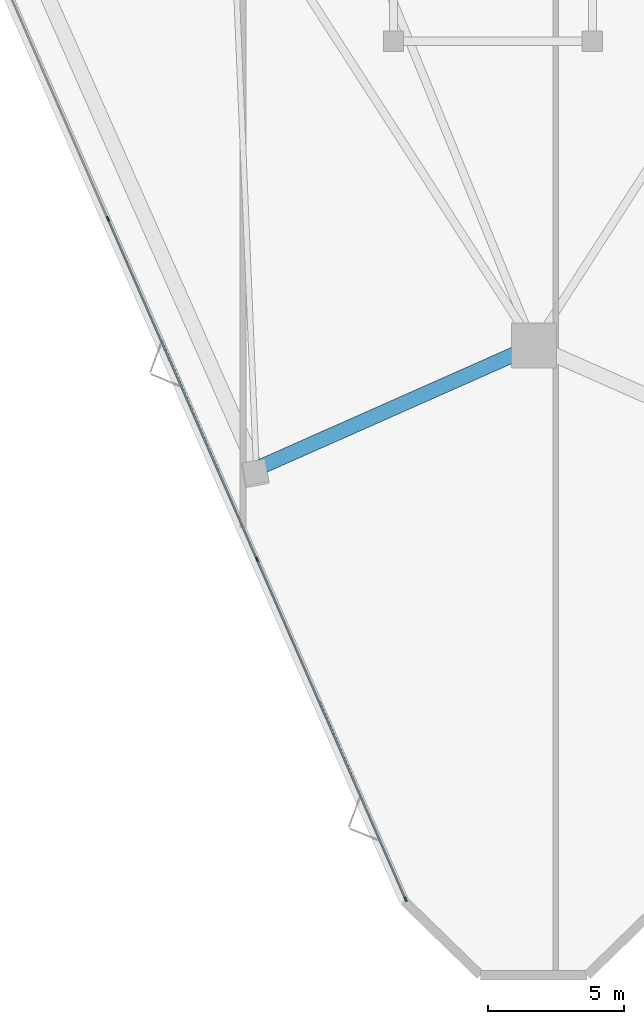
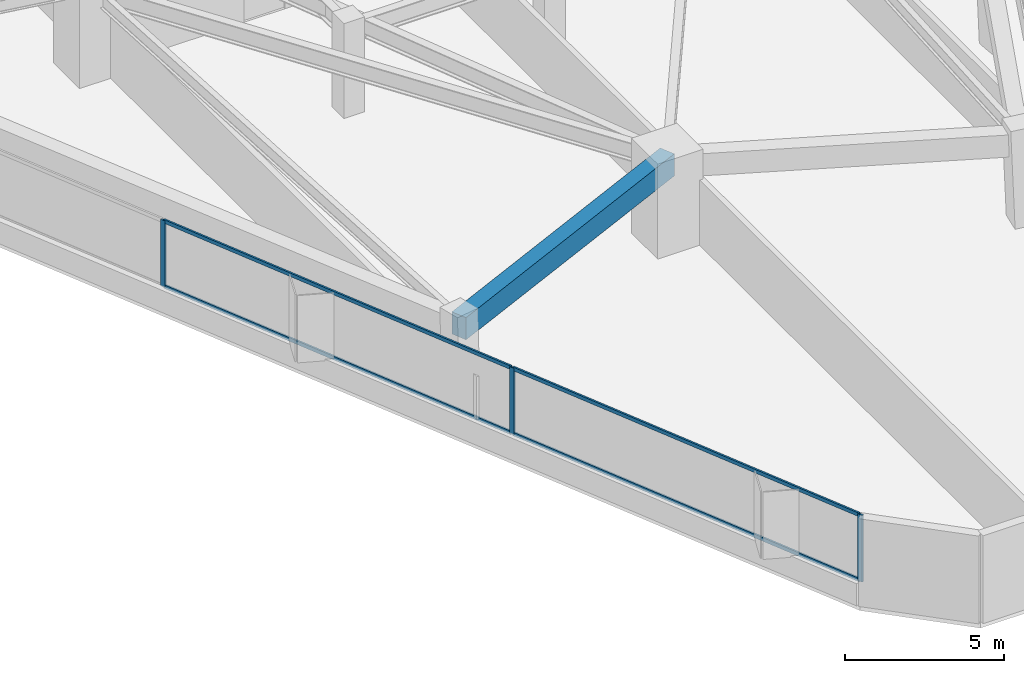
# One storey, part 2 of 20: 7 members, 1 beam, 1 element without a shape of its own.
"""IFC4 building model written with IfcOpenShell, lengths in metres."""

from ifc_helpers import new_model, si_unit, direction, frame, origin, origin_2d, place, context, subcontext, project, spatial, rectangle, extrude, material, layer, layer_set, material_profile, profile_set, type_object, element, aggregate, save


model = new_model("IFC4")

# Units and contexts
model_context = context("Model", 3, precision=1e-05, world=origin(), true_north=direction((0.0, 1.0)))
body_context = subcontext(model_context, "Body", "Model", "MODEL_VIEW")
ifc_project = project(units=[si_unit("LENGTHUNIT", "METRE"), si_unit("AREAUNIT", "SQUARE_METRE"), si_unit("VOLUMEUNIT", "CUBIC_METRE"), si_unit("PLANEANGLEUNIT", "RADIAN"), si_unit("MASSUNIT", "GRAM", prefix="KILO")], contexts=[model_context])

# Site, building, storey
site_placement = place(None, origin())
site = spatial("IfcSite", under=ifc_project, at=site_placement, CompositionType="ELEMENT")
building_placement = place(site_placement, origin())
building = spatial("IfcBuilding", under=site, at=building_placement, Name="Talyreon Biosciences Tower", CompositionType="ELEMENT")
storey_placement = place(building_placement, frame((0.0, 0.0, 75.0)))
storey = spatial("IfcBuildingStorey", under=building, at=storey_placement, Name="L19", CompositionType="ELEMENT", Elevation=75.0)

# Curtain wall, members
ifc_material_1 = material(Name="Thermally broken aluminium and low-E glazing", Category="aluminium")
ifc_layer = layer(ifc_material_1, 0.18994140625)
ifc_layer_set = layer_set([ifc_layer], Name="Thermally broken aluminium and low-E glazing")
curtain_wall_type = type_object("IfcCurtainWallType", Name="CurtainWall_Zone2Genomics", PredefinedType="NOTDEFINED", material=ifc_layer_set)
curtain_wall_placement = place(storey_placement, origin())
curtain_wall = element("IfcCurtainWall", 1, at=curtain_wall_placement, inside=storey, type_object=curtain_wall_type, Name="L19 Unitised Curtain Wall FCW-L19-00", PredefinedType="NOTDEFINED")
ifc_material_2 = material(Name="Anodised thermally broken aluminium", Category="aluminium")
ifc_material_profile_1 = material_profile(ifc_material_2, rectangle(XDim=0.06494140625, YDim=0.179931640625, at=origin_2d()), Name="ALUM MULLION 65x180")
ifc_profile_set_1 = profile_set([ifc_material_profile_1], Name="Anodised thermally broken aluminium")
member_type_1 = type_object("IfcMemberType", Name="CWMullion_65x180", PredefinedType="MULLION", material=ifc_profile_set_1)
member_1_placement = place(storey_placement, frame((61.29638671875, 21.3525390625, 0.81005859375), z_axis=(0.0, 0.0, 1.0), x_axis=(-0.916151953082, -0.400831135099, 0.0)))
member_1 = element("IfcMember", 2, at=member_1_placement, type_object=member_type_1, Name="CW3 mullion 1", PredefinedType="MULLION", context=body_context, shape_type="SweptSolid", body=[
    extrude(rectangle(XDim=0.06494140625, YDim=0.179931640625, at=origin_2d()), origin(), (0.0, 0.0, 1.0), 2.56494140625),
])
member_2_placement = place(storey_placement, frame((55.83935546875, 33.8251953125, 0.81005859375), z_axis=(0.0, 0.0, 1.0), x_axis=(-0.916151953082, -0.400831135099, 0.0)))
member_2 = element("IfcMember", 3, at=member_2_placement, type_object=member_type_1, Name="CW3 mullion 2", PredefinedType="MULLION", context=body_context, shape_type="SweptSolid", body=[
    extrude(rectangle(XDim=0.06494140625, YDim=0.179931640625, at=origin_2d()), origin(), (0.0, 0.0, 1.0), 2.56494140625),
])
member_3_placement = place(storey_placement, frame((50.369384765625, 46.32763671875, 0.81005859375), z_axis=(0.0, 0.0, 1.0), x_axis=(-0.916151953082, -0.400831135099, 0.0)))
member_3 = element("IfcMember", 4, at=member_3_placement, type_object=member_type_1, Name="CW3 mullion 3", PredefinedType="MULLION", context=body_context, shape_type="SweptSolid", body=[
    extrude(rectangle(XDim=0.06494140625, YDim=0.179931640625, at=origin_2d()), origin(), (0.0, 0.0, 1.0), 2.56494140625),
])
ifc_material_profile_2 = material_profile(ifc_material_2, rectangle(XDim=0.06494140625, YDim=0.139892578125, at=origin_2d()), Name="ALUM TRANSOM 65x140")
ifc_profile_set_2 = profile_set([ifc_material_profile_2], Name="Anodised thermally broken aluminium")
member_type_2 = type_object("IfcMemberType", Name="CWTransom_65x140", PredefinedType="USERDEFINED", material=ifc_profile_set_2)
member_4_placement = place(storey_placement, frame((61.283203125, 21.38232421875, 0.842529296875), z_axis=(-0.400830177027, 0.916152372253, 0.0), x_axis=(-0.916152372253, -0.400830177027, 0.0)))
member_4 = element("IfcMember", 5, at=member_4_placement, type_object=member_type_2, Name="CW3 transom 1.1", ObjectType="TRANSOM", PredefinedType="USERDEFINED", context=body_context, shape_type="SweptSolid", body=[
    extrude(rectangle(XDim=0.06494140625, YDim=0.139892578125, at=origin_2d()), origin(), (0.0, 0.0, 1.0), 13.549072265625),
])
member_5_placement = place(storey_placement, frame((61.283203125, 21.38232421875, 3.342529296875), z_axis=(-0.400830177027, 0.916152372253, 0.0), x_axis=(-0.916152372253, -0.400830177027, 0.0)))
member_5 = element("IfcMember", 6, at=member_5_placement, type_object=member_type_2, Name="CW3 transom 1.2", ObjectType="TRANSOM", PredefinedType="USERDEFINED", context=body_context, shape_type="SweptSolid", body=[
    extrude(rectangle(XDim=0.06494140625, YDim=0.139892578125, at=origin_2d()), origin(), (0.0, 0.0, 1.0), 13.549072265625),
])
member_6_placement = place(storey_placement, frame((55.826171875, 33.85498046875, 0.842529296875), z_axis=(-0.40082449197, 0.916154859528, 0.0), x_axis=(-0.916154859528, -0.40082449197, 0.0)))
member_6 = element("IfcMember", 7, at=member_6_placement, type_object=member_type_2, Name="CW3 transom 2.1", ObjectType="TRANSOM", PredefinedType="USERDEFINED", context=body_context, shape_type="SweptSolid", body=[
    extrude(rectangle(XDim=0.06494140625, YDim=0.139892578125, at=origin_2d()), origin(), (0.0, 0.0, 1.0), 13.58154296875),
])
member_7_placement = place(storey_placement, frame((55.826171875, 33.85498046875, 3.342529296875), z_axis=(-0.40082449197, 0.916154859528, 0.0), x_axis=(-0.916154859528, -0.40082449197, 0.0)))
member_7 = element("IfcMember", 8, at=member_7_placement, type_object=member_type_2, Name="CW3 transom 2.2", ObjectType="TRANSOM", PredefinedType="USERDEFINED", context=body_context, shape_type="SweptSolid", body=[
    extrude(rectangle(XDim=0.06494140625, YDim=0.139892578125, at=origin_2d()), origin(), (0.0, 0.0, 1.0), 13.58154296875),
])
aggregate(curtain_wall, [member_1, member_2, member_3, member_4, member_5, member_6, member_7])

# Beam
ifc_material_3 = material(Name="Precast concrete C45/55", Category="concrete")
ifc_material_profile_3 = material_profile(ifc_material_3, rectangle(XDim=0.550048828125, YDim=0.85009765625, at=origin_2d()), Name="RCB 550x850")
ifc_profile_set_3 = profile_set([ifc_material_profile_3], Name="Precast concrete C45/55")
beam_type = type_object("IfcBeamType", Name="ExpressedSpandrel_550x850", PredefinedType="SPANDREL", material=ifc_profile_set_3)
beam_placement = place(storey_placement, frame((55.81591796875, 37.152099609375, 2.949951171875), z_axis=(0.914189817881, 0.405286290025, 0.0), x_axis=(-0.405286290025, 0.914189817881, 0.0)))
element("IfcBeam", 9, at=beam_placement, inside=storey, type_object=beam_type, Name="L19 Expressed Horizontal Concrete Spandrel 12", PredefinedType="SPANDREL", context=body_context, shape_type="SweptSolid", body=[
    extrude(rectangle(XDim=0.550048828125, YDim=0.85009765625, at=origin_2d()), origin(), (0.0, 0.0, 1.0), 11.139892578125),
])

save(model, "model.ifc")
